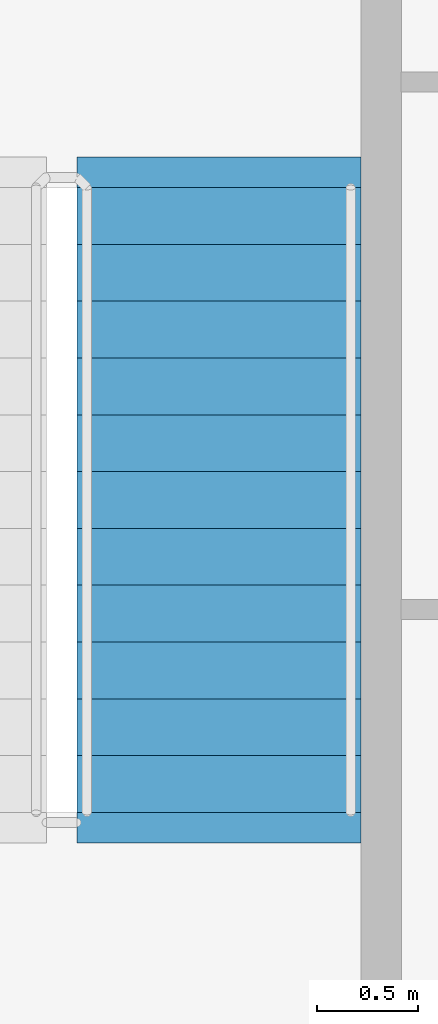
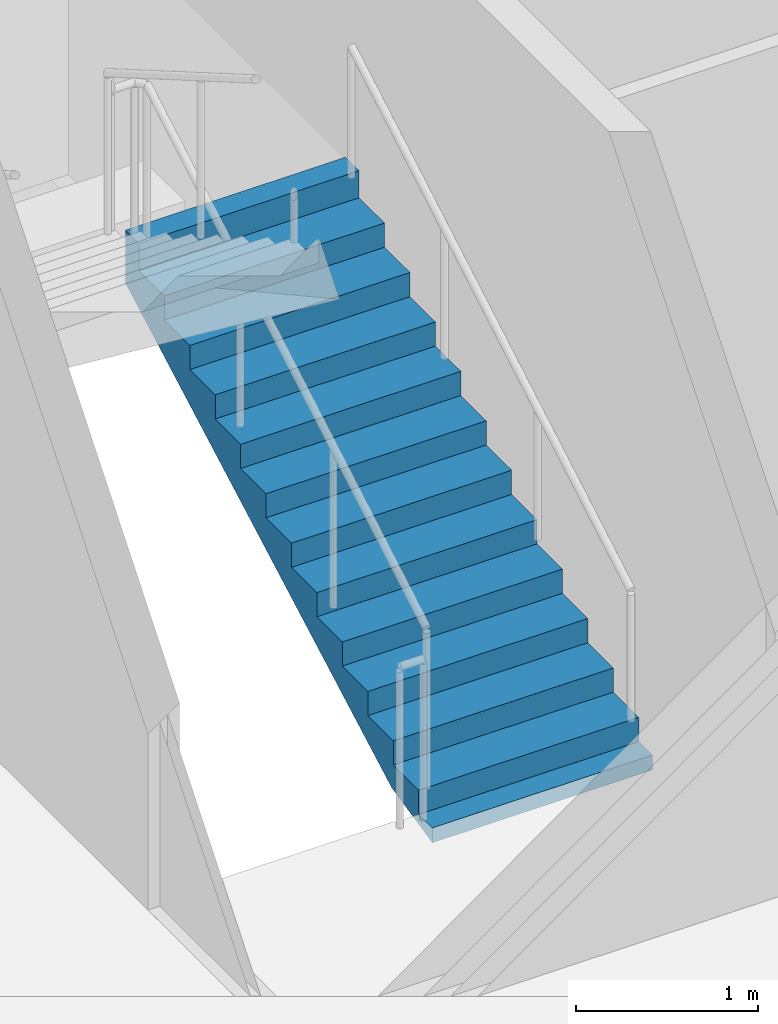
# One storey, part 12 of 17: 1 stair flight, 1 element without a shape of its own.
"""IFC4 building model written with IfcOpenShell, lengths in metres."""

import ifcopenshell
import ifcopenshell.guid

model = None  # the IFC model being written
_history = None  # IfcOwnerHistory: only IFC2X3 demands one
_inside = {}  # id of a spatial element -> (the spatial element, [elements in it])
_under = {}  # id of a project, library or spatial element -> (it, [spatial elements below it])
_declared = {}  # id of a project -> (the project, [libraries it declares])
_typed = {}  # id of a type object -> (the type object, [elements of that type])
_made_of = {}  # id of a material, layer set ... -> (it, [elements and type objects made of it])


def new_model(schema):
    """Start an empty IFC model of exactly this schema.

    Asked for "IFC4X3", IfcOpenShell would pick the latest addendum, in which some entities
    have other attributes; the version numbers below select the first issue.
    IFC2X3 requires an IfcOwnerHistory on every rooted entity: one is made here for all.
    """
    global model, _history
    if schema == "IFC4X3":
        model = ifcopenshell.file(schema_version=(4, 3, 0, 0))
    else:
        model = ifcopenshell.file(schema=schema)
    _inside.clear()
    _under.clear()
    _declared.clear()
    _typed.clear()
    _made_of.clear()
    _history = None
    if model.schema == "IFC2X3":
        org = make("IfcOrganization", Name="unknown")
        user = make(
            "IfcPersonAndOrganization",
            ThePerson=make("IfcPerson", FamilyName="unknown"),
            TheOrganization=org,
        )
        app = make(
            "IfcApplication",
            ApplicationDeveloper=org,
            Version="unknown",
            ApplicationFullName="unknown",
            ApplicationIdentifier="unknown",
        )
        _history = make(
            "IfcOwnerHistory",
            OwningUser=user,
            OwningApplication=app,
            ChangeAction="ADDED",
            CreationDate=0,
        )
    return model


def make(cls, **values):
    """One entity of the class cls with the attributes given. An attribute that is None is left unset."""
    return model.create_entity(
        cls, **{name: value for name, value in values.items() if value is not None}
    )


def rooted(cls, **values):
    """An entity with a GlobalId (a new one), such as an element, a storey or a relation."""
    return make(cls, GlobalId=ifcopenshell.guid.new(), OwnerHistory=_history, **values)


def si_unit(unit_type, name, prefix=None):
    """IfcSIUnit, for example si_unit("LENGTHUNIT", "METRE", prefix="MILLI")."""
    return make("IfcSIUnit", UnitType=unit_type, Prefix=prefix, Name=name)


def assignment(units):
    """IfcUnitAssignment: the units of a project."""
    return None if units is None else make("IfcUnitAssignment", Units=units)


def point(xyz):
    """IfcCartesianPoint."""
    return None if xyz is None else make("IfcCartesianPoint", Coordinates=xyz)


def direction(xyz):
    """IfcDirection."""
    return None if xyz is None else make("IfcDirection", DirectionRatios=xyz)


def frame(location, z_axis=None, x_axis=None):
    """IfcAxis2Placement3D, a coordinate frame: its origin and axes. An axis left out is left unset."""
    return make(
        "IfcAxis2Placement3D",
        Location=point(location),
        Axis=direction(z_axis),
        RefDirection=direction(x_axis),
    )


def origin():
    """The frame at (0, 0, 0) with its axes left unset."""
    return frame((0.0, 0.0, 0.0))


def place(relative_to, where):
    """IfcLocalPlacement: puts the frame where relative to a parent placement (None: the world)."""
    return make(
        "IfcLocalPlacement", PlacementRelTo=relative_to, RelativePlacement=where
    )


def context(
    kind, dimensions, precision=None, world=None, true_north=None, identifier=None
):
    """IfcGeometricRepresentationContext, for example the 3D "Model" context."""
    return make(
        "IfcGeometricRepresentationContext",
        ContextIdentifier=identifier,
        ContextType=kind,
        CoordinateSpaceDimension=dimensions,
        Precision=precision,
        WorldCoordinateSystem=world,
        TrueNorth=true_north,
    )


def subcontext(parent, identifier, kind, view, scale=None):
    """IfcGeometricRepresentationSubContext, for example "Body" below "Model"."""
    return make(
        "IfcGeometricRepresentationSubContext",
        ContextIdentifier=identifier,
        ContextType=kind,
        ParentContext=parent,
        TargetScale=scale,
        TargetView=view,
    )


def project(units=None, contexts=None):
    """IfcProject with its units and contexts."""
    return rooted(
        "IfcProject",
        Name="project",
        RepresentationContexts=contexts,
        UnitsInContext=assignment(units),
    )


def spatial(cls, under=None, at=None, **own):
    """A site, building, storey or space (cls), placed at a placement, below another one or the project."""
    s = rooted(cls, ObjectPlacement=at, **own)
    if under is not None:
        _under.setdefault(under.id(), (under, []))[1].append(s)
    return s


def polyline(points):
    """IfcPolyline through the points."""
    return make("IfcPolyline", Points=[point(p) for p in points])


def outline(outer, holes=None, kind="AREA"):
    """IfcArbitraryClosedProfileDef: a profile drawn as a closed curve; with holes, ...WithVoids."""
    if holes is None:
        return make("IfcArbitraryClosedProfileDef", ProfileType=kind, OuterCurve=outer)
    return make(
        "IfcArbitraryProfileDefWithVoids",
        ProfileType=kind,
        OuterCurve=outer,
        InnerCurves=holes,
    )


def extrude(swept, where, along, depth):
    """IfcExtrudedAreaSolid: the profile swept, set in the frame where, extruded along a direction by depth."""
    return make(
        "IfcExtrudedAreaSolid",
        SweptArea=swept,
        Position=where,
        ExtrudedDirection=direction(along),
        Depth=depth,
    )


def shape(context_of_items, identifier, shape_type, items):
    """IfcShapeRepresentation: the items that make up one representation, for example the "Body"."""
    return make(
        "IfcShapeRepresentation",
        ContextOfItems=context_of_items,
        RepresentationIdentifier=identifier,
        RepresentationType=shape_type,
        Items=items,
    )


def material(Name=None, Category=None):
    """IfcMaterial."""
    return make("IfcMaterial", Name=Name, Category=Category)


def layer(
    of_material, thickness, ventilated=None, Name=None, Category=None, Priority=None
):
    """IfcMaterialLayer: one layer of a wall or slab, of a material (None: an air gap)."""
    return make(
        "IfcMaterialLayer",
        Material=of_material,
        LayerThickness=thickness,
        IsVentilated=ventilated,
        Name=Name,
        Category=Category,
        Priority=Priority,
    )


def layer_set(layers, Name=None):
    """IfcMaterialLayerSet."""
    return make("IfcMaterialLayerSet", MaterialLayers=layers, LayerSetName=Name)


def made_of(thing, what):
    """Note that an element or type object is made of a material, layer set ...; save() writes the relation."""
    if what is not None:
        _made_of.setdefault(what.id(), (what, []))[1].append(thing)
    return thing


def type_object(cls, material=None, **own):
    """A type object (cls), such as IfcWallType, which elements share."""
    return made_of(rooted(cls, **own), material)


def element(
    cls,
    number,
    at=None,
    inside=None,
    cuts=None,
    type_object=None,
    material=None,
    context=None,
    identifier="Body",
    shape_type=None,
    held_by="IfcProductDefinitionShape",
    body=None,
    shapes=None,
    **own,
):
    """One element of the class cls, such as IfcWall. Its Tag is "e" and its number.

    at: its placement. inside: the storey or other place that contains it. cuts: it is an
    opening in that element (IfcRelVoidsElement). A single representation is given by context,
    identifier, shape_type and body (its items); several are given by shapes. held_by: the class
    of the entity that holds the representations. save() writes the other relations.
    """
    e = rooted(cls, Tag="e%d" % number, ObjectPlacement=at, **own)
    if body is not None:
        shapes = [shape(context, identifier, shape_type, body)]
    if shapes is not None:
        e.Representation = make(held_by, Representations=shapes)
    if inside is not None:
        _inside.setdefault(inside.id(), (inside, []))[1].append(e)
    if cuts is not None:
        rooted(
            "IfcRelVoidsElement", RelatingBuildingElement=cuts, RelatedOpeningElement=e
        )
    if type_object is not None:
        _typed.setdefault(type_object.id(), (type_object, []))[1].append(e)
    return made_of(e, material)


def aggregate(whole, parts):
    """IfcRelAggregates: a whole, such as a stair, and the parts it consists of."""
    return rooted("IfcRelAggregates", RelatingObject=whole, RelatedObjects=parts)


def save(model, path):
    """Write the relations noted so far, then the file.

    IfcRelAggregates (storeys below a building ...), IfcRelContainedInSpatialStructure (elements
    in a storey), IfcRelDefinesByType, IfcRelAssociatesMaterial and IfcRelDeclares: one each for
    every whole, place, type object, material and project.
    """
    for whole, parts in _under.values():
        aggregate(whole, parts)
    for where, things in _inside.values():
        rooted(
            "IfcRelContainedInSpatialStructure",
            RelatedElements=things,
            RelatingStructure=where,
        )
    for kind, things in _typed.values():
        rooted("IfcRelDefinesByType", RelatedObjects=things, RelatingType=kind)
    for what, things in _made_of.values():
        rooted("IfcRelAssociatesMaterial", RelatedObjects=things, RelatingMaterial=what)
    for by, libraries in _declared.values():
        rooted("IfcRelDeclares", RelatingContext=by, RelatedDefinitions=libraries)
    model.write(path)


model = new_model("IFC4")

# Units and contexts
model_context = context("Model", 3, precision=1e-05, world=origin(), true_north=direction((0.0, 1.0)))
body_context = subcontext(model_context, "Body", "Model", "MODEL_VIEW")
ifc_project = project(units=[si_unit("LENGTHUNIT", "METRE"), si_unit("AREAUNIT", "SQUARE_METRE"), si_unit("VOLUMEUNIT", "CUBIC_METRE"), si_unit("PLANEANGLEUNIT", "RADIAN"), si_unit("MASSUNIT", "GRAM", prefix="KILO")], contexts=[model_context])

# Site, building, storey
site_placement = place(None, origin())
site = spatial("IfcSite", under=ifc_project, at=site_placement, CompositionType="ELEMENT")
building_placement = place(site_placement, origin())
building = spatial("IfcBuilding", under=site, at=building_placement, Name="Kheshtan School and Residences Tower", CompositionType="ELEMENT")
storey_placement = place(building_placement, frame((0.0, 0.0, 342.199951171875)))
storey = spatial("IfcBuildingStorey", under=building, at=storey_placement, Name="L80", CompositionType="ELEMENT", Elevation=342.199951171875)

# Stair, stair flight
ifc_material = material(Name="Concrete C40/50", Category="concrete")
stair_type = type_object("IfcStairType", Name="Exit stair, half-turn", PredefinedType="HALF_TURN_STAIR", material=ifc_material)
stair_placement = place(storey_placement, origin())
stair = element("IfcStair", 1, at=stair_placement, inside=storey, type_object=stair_type, Name="L80 Protected Exit Stair ST3", PredefinedType="HALF_TURN_STAIR")
ifc_layer = layer(ifc_material, 0.14990234375)
ifc_layer_set = layer_set([ifc_layer], Name="Stair flight 1400 Concrete C40/50")
stair_flight_type = type_object("IfcStairFlightType", Name="Stair flight 1400 Concrete C40/50", PredefinedType="STRAIGHT", material=ifc_layer_set)
stair_flight_placement = place(storey_placement, frame((35.64990234375, 80.89990234375, 0.0), z_axis=(0.0, 0.0, 1.0), x_axis=(0.0, 1.0, 0.0)))
stair_flight = element("IfcStairFlight", 2, at=stair_flight_placement, type_object=stair_flight_type, Name="ST3 flight 1", NumberOfRisers=12, NumberOfTreads=11, PredefinedType="STRAIGHT", RiserHeight=0.1625, TreadLength=0.28, context=body_context, shape_type="SweptSolid", body=[
    extrude(outline(polyline([(-0.14990234375, -0.10009765625), (-0.14990234375, 0.0), (0.0, 0.0), (0.0, 0.16259765625), (0.280029296875, 0.16259765625), (0.280029296875, 0.324951171875), (0.56005859375, 0.324951171875), (0.56005859375, 0.487548828125), (0.840087890625, 0.487548828125), (0.840087890625, 0.64990234375), (1.1201171875, 0.64990234375), (1.1201171875, 0.8125), (1.39990234375, 0.8125), (1.39990234375, 0.97509765625), (1.679931640625, 0.97509765625), (1.679931640625, 1.137451171875), (1.9599609375, 1.137451171875), (1.9599609375, 1.300048828125), (2.239990234375, 1.300048828125), (2.239990234375, 1.46240234375), (2.52001953125, 1.46240234375), (2.52001953125, 1.625), (2.800048828125, 1.625), (2.800048828125, 1.78759765625), (3.080078125, 1.78759765625), (3.080078125, 1.949951171875), (3.080078125, 1.969970703125), (3.22998046875, 1.969970703125), (3.22998046875, 1.6142578125), (0.298583984375, 0.0), (-0.14990234375, -0.10009765625)])), frame((0.0, 0.699951171875, 0.0), z_axis=(0.0, -1.0, 0.0), x_axis=(1.0, 0.0, 0.0)), (0.0, 0.0, 1.0), 1.39990234375),
])
aggregate(stair, [stair_flight])

save(model, "model.ifc")
